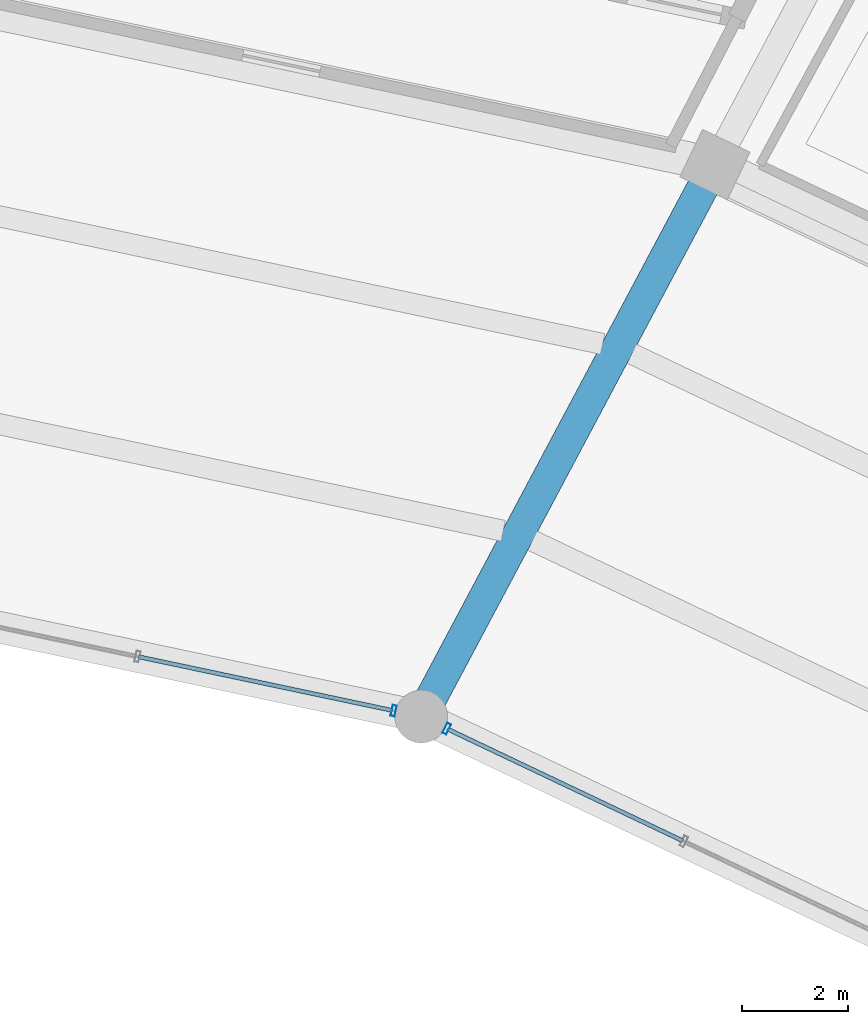
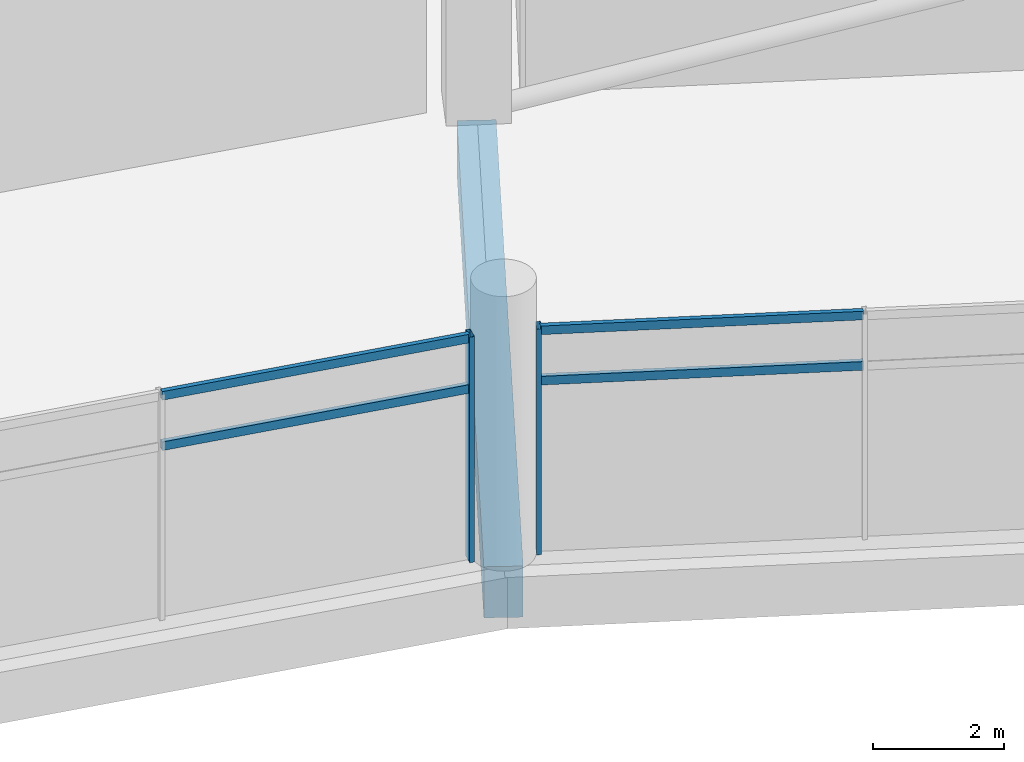
# One storey, part 128 of 184: 6 members, 1 beam, 2 elements without a shape of their own.
"""IFC4 building model written with IfcOpenShell, lengths in metres."""

from ifc_helpers import new_model, si_unit, direction, frame, origin, origin_2d, place, context, subcontext, project, spatial, rectangle, hollow_rectangle, extrude, material, layer, layer_set, material_profile, profile_set, type_object, element, aggregate, save


model = new_model("IFC4")

# Units and contexts
model_context = context("Model", 3, precision=1e-05, world=origin(), true_north=direction((0.0, 1.0)))
body_context = subcontext(model_context, "Body", "Model", "MODEL_VIEW")
ifc_project = project(units=[si_unit("LENGTHUNIT", "METRE"), si_unit("AREAUNIT", "SQUARE_METRE"), si_unit("VOLUMEUNIT", "CUBIC_METRE"), si_unit("PLANEANGLEUNIT", "RADIAN"), si_unit("MASSUNIT", "GRAM", prefix="KILO")], contexts=[model_context])

# Site, building, storey
site_placement = place(None, origin())
site = spatial("IfcSite", under=ifc_project, at=site_placement, CompositionType="ELEMENT")
building_placement = place(site_placement, origin())
building = spatial("IfcBuilding", under=site, at=building_placement, Name="Kazemori Nagisa Stadium", CompositionType="ELEMENT")
storey_placement = place(building_placement, frame((0.0, 0.0, 10.5400390625)))
storey = spatial("IfcBuildingStorey", under=building, at=storey_placement, Name="L02", CompositionType="ELEMENT", Elevation=10.5400390625)

# Beam
ifc_material_1 = material(Name="Concrete C40/50 (Fc42)", Category="concrete")
ifc_material_profile_1 = material_profile(ifc_material_1, rectangle(XDim=0.60009765625, YDim=0.949951171875, at=origin_2d()), Name="RC-BM-600x950")
ifc_profile_set_1 = profile_set([ifc_material_profile_1], Name="Concrete C40/50 (Fc42)")
beam_type = type_object("IfcBeamType", Name="Beam_BG-RC600X950", PredefinedType="BEAM", material=ifc_profile_set_1)
beam_placement = place(storey_placement, frame((154.24755859375, 160.739013671875, -0.735107421875), z_axis=(0.469646804203, 0.882854393036, 0.0), x_axis=(-0.882854393036, 0.469646804203, 0.0)))
element("IfcBeam", 1, at=beam_placement, inside=storey, type_object=beam_type, Name="Radial girder BG-RC600X950 L02 R1-R2-06", PredefinedType="BEAM", context=body_context, shape_type="SweptSolid", body=[
    extrude(rectangle(XDim=0.60009765625, YDim=0.949951171875, at=origin_2d()), origin(), (0.0, 0.0, 1.0), 11.84814453125),
])

# Curtain wall, member
ifc_material_2 = material(Name="Anodised aluminium 6063-T5", Category="aluminium")
ifc_layer = layer(ifc_material_2, 0.2099609375, Name="Anodised aluminium 6063-T5", Category="aluminium")
ifc_layer_set = layer_set([ifc_layer], Name="Anodised aluminium 6063-T5")
curtain_wall_type = type_object("IfcCurtainWallType", Name="CW_L02B_75", PredefinedType="USERDEFINED", material=ifc_layer_set)
curtain_wall_1_placement = place(storey_placement, origin())
curtain_wall_1 = element("IfcCurtainWall", 2, at=curtain_wall_1_placement, inside=storey, type_object=curtain_wall_type, Name="Unitised curtain wall CW-L02B-75 L02", ObjectType="UNITISED CURTAIN WALL", PredefinedType="USERDEFINED")
ifc_material_3 = material(Name="Aluminium 6063-T5 anodised", Category="aluminium")
ifc_material_profile_2 = material_profile(ifc_material_3, hollow_rectangle(XDim=0.080078125, YDim=0.2099609375, WallThickness=0.0048828125, at=origin_2d()), Name="ALU-MULL-80x210x5")
ifc_profile_set_2 = profile_set([ifc_material_profile_2], Name="Aluminium 6063-T5 anodised")
member_type_1 = type_object("IfcMemberType", Name="Mullion_M02", PredefinedType="MULLION", material=ifc_profile_set_2)
member_1_placement = place(storey_placement, frame((154.730712890625, 160.50927734375, 0.0), z_axis=(0.0, 0.0, 1.0), x_axis=(-0.903215892654, 0.429186499388, 0.0)))
member_1 = element("IfcMember", 3, at=member_1_placement, type_object=member_type_1, Name="Curtain wall mullion CW-L02B-75-M4", PredefinedType="MULLION", context=body_context, shape_type="SweptSolid", body=[
    extrude(hollow_rectangle(XDim=0.080078125, YDim=0.2099609375, WallThickness=0.0048828125, at=origin_2d()), origin(), (0.0, 0.0, 1.0), 4.18994140625),
])

curtain_wall_2_placement = place(storey_placement, origin())
curtain_wall_2 = element("IfcCurtainWall", 4, at=curtain_wall_2_placement, inside=storey, type_object=curtain_wall_type, Name="Unitised curtain wall CW-L02B-75 L02", ObjectType="UNITISED CURTAIN WALL", PredefinedType="USERDEFINED")
member_2_placement = place(storey_placement, frame((153.72412109375, 160.849609375, 0.0), z_axis=(0.0, 0.0, 1.0), x_axis=(-0.978344955407, 0.206981033502, 0.0)))
member_2 = element("IfcMember", 5, at=member_2_placement, type_object=member_type_1, Name="Curtain wall mullion CW-L02B-75-M1", PredefinedType="MULLION", context=body_context, shape_type="SweptSolid", body=[
    extrude(hollow_rectangle(XDim=0.080078125, YDim=0.2099609375, WallThickness=0.0048828125, at=origin_2d()), origin(), (0.0, 0.0, 1.0), 4.18994140625),
])

# Member
ifc_material_profile_3 = material_profile(ifc_material_3, hollow_rectangle(XDim=0.080078125, YDim=0.159912109375, WallThickness=0.00390625, at=origin_2d()), Name="ALU-TRAN-80x160x4")
ifc_profile_set_3 = profile_set([ifc_material_profile_3], Name="Aluminium 6063-T5 anodised")
member_type_2 = type_object("IfcMemberType", Name="Transom_T02", PredefinedType="USERDEFINED", material=ifc_profile_set_3)
member_3_placement = place(storey_placement, frame((159.206787109375, 158.38232421875, 3.184326171875), z_axis=(-0.903210397994, 0.429198062618, 0.0), x_axis=(-0.429198062618, -0.903210397994, 0.0)))
member_3 = element("IfcMember", 6, at=member_3_placement, type_object=member_type_2, Name="Curtain wall transom CW-L02B-75-T3-mid", ObjectType="TRANSOM", PredefinedType="USERDEFINED", context=body_context, shape_type="SweptSolid", body=[
    extrude(hollow_rectangle(XDim=0.080078125, YDim=0.159912109375, WallThickness=0.00390625, at=origin_2d()), origin(), (0.0, 0.0, 1.0), 4.935791015625),
])

member_4_placement = place(storey_placement, frame((159.206787109375, 158.38232421875, 4.119873046875), z_axis=(-0.903210397994, 0.429198062618, 0.0), x_axis=(-0.429198062618, -0.903210397994, 0.0)))
member_4 = element("IfcMember", 7, at=member_4_placement, type_object=member_type_2, Name="Curtain wall transom CW-L02B-75-T3-head", ObjectType="TRANSOM", PredefinedType="USERDEFINED", context=body_context, shape_type="SweptSolid", body=[
    extrude(hollow_rectangle(XDim=0.080078125, YDim=0.159912109375, WallThickness=0.00390625, at=origin_2d()), origin(), (0.0, 0.0, 1.0), 4.935791015625),
])

aggregate(curtain_wall_1, [member_1, member_3, member_4])

member_5_placement = place(storey_placement, frame((153.70458984375, 160.853759765625, 3.184326171875), z_axis=(-0.978348737064, 0.206963157798, 0.0), x_axis=(-0.206963157798, -0.978348737064, 0.0)))
member_5 = element("IfcMember", 8, at=member_5_placement, type_object=member_type_2, Name="Curtain wall transom CW-L02B-75-T1-mid", ObjectType="TRANSOM", PredefinedType="USERDEFINED", context=body_context, shape_type="SweptSolid", body=[
    extrude(hollow_rectangle(XDim=0.080078125, YDim=0.159912109375, WallThickness=0.00390625, at=origin_2d()), origin(), (0.0, 0.0, 1.0), 4.920166015625),
])

member_6_placement = place(storey_placement, frame((153.70458984375, 160.853759765625, 4.119873046875), z_axis=(-0.978348737064, 0.206963157798, 0.0), x_axis=(-0.206963157798, -0.978348737064, 0.0)))
member_6 = element("IfcMember", 9, at=member_6_placement, type_object=member_type_2, Name="Curtain wall transom CW-L02B-75-T1-head", ObjectType="TRANSOM", PredefinedType="USERDEFINED", context=body_context, shape_type="SweptSolid", body=[
    extrude(hollow_rectangle(XDim=0.080078125, YDim=0.159912109375, WallThickness=0.00390625, at=origin_2d()), origin(), (0.0, 0.0, 1.0), 4.920166015625),
])

aggregate(curtain_wall_2, [member_2, member_5, member_6])

save(model, "model.ifc")
